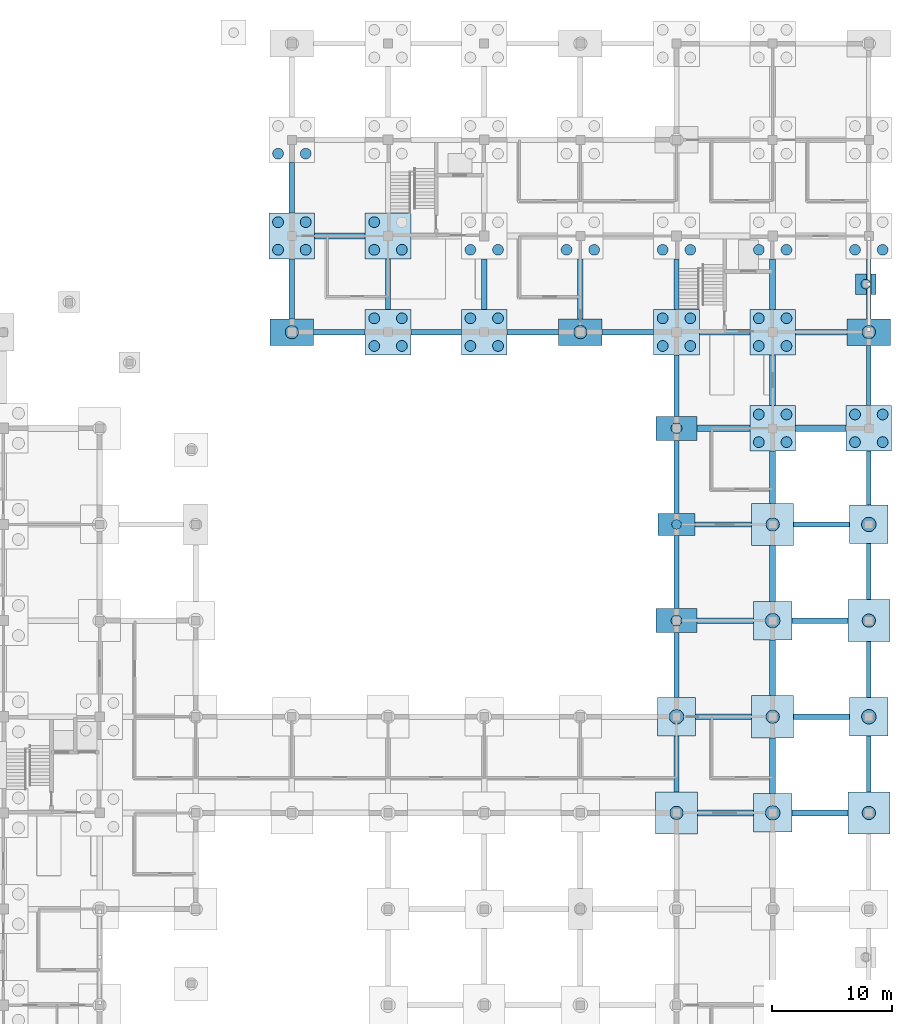
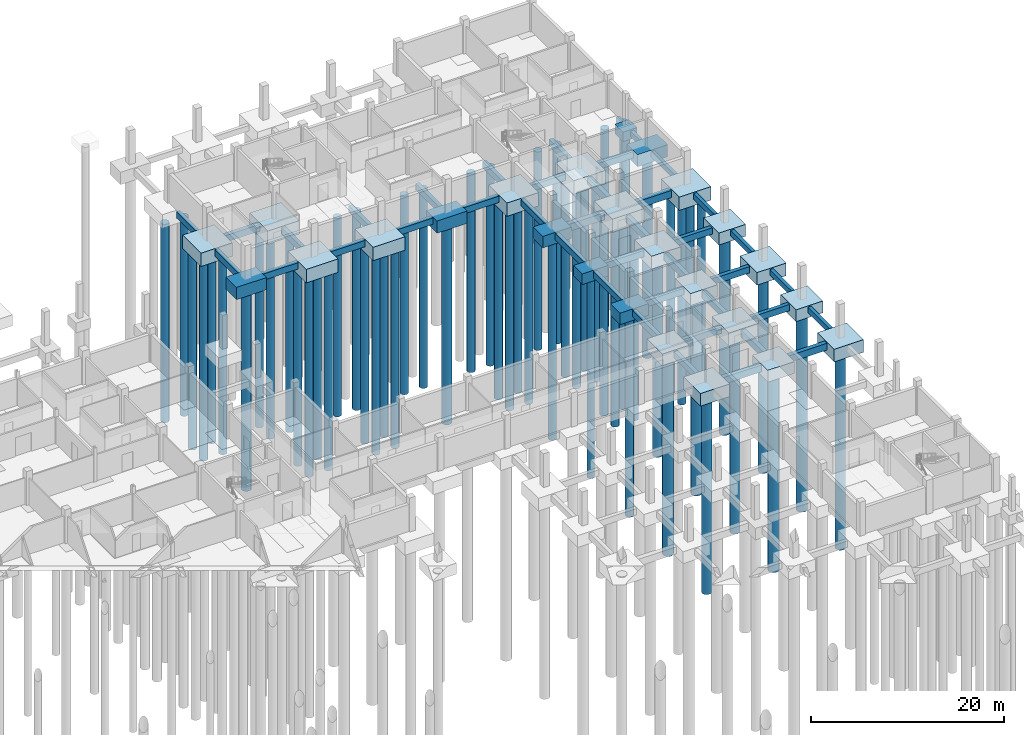
# One storey, part 10 of 48: 65 footings, 60 piles.
"""IFC4 building model written with IfcOpenShell, lengths in metres."""

import ifcopenshell
import ifcopenshell.guid

model = None  # the IFC model being written
_history = None  # IfcOwnerHistory: only IFC2X3 demands one
_inside = {}  # id of a spatial element -> (the spatial element, [elements in it])
_under = {}  # id of a project, library or spatial element -> (it, [spatial elements below it])
_declared = {}  # id of a project -> (the project, [libraries it declares])
_typed = {}  # id of a type object -> (the type object, [elements of that type])
_made_of = {}  # id of a material, layer set ... -> (it, [elements and type objects made of it])


def new_model(schema):
    """Start an empty IFC model of exactly this schema.

    Asked for "IFC4X3", IfcOpenShell would pick the latest addendum, in which some entities
    have other attributes; the version numbers below select the first issue.
    IFC2X3 requires an IfcOwnerHistory on every rooted entity: one is made here for all.
    """
    global model, _history
    if schema == "IFC4X3":
        model = ifcopenshell.file(schema_version=(4, 3, 0, 0))
    else:
        model = ifcopenshell.file(schema=schema)
    _inside.clear()
    _under.clear()
    _declared.clear()
    _typed.clear()
    _made_of.clear()
    _history = None
    if model.schema == "IFC2X3":
        org = make("IfcOrganization", Name="unknown")
        user = make(
            "IfcPersonAndOrganization",
            ThePerson=make("IfcPerson", FamilyName="unknown"),
            TheOrganization=org,
        )
        app = make(
            "IfcApplication",
            ApplicationDeveloper=org,
            Version="unknown",
            ApplicationFullName="unknown",
            ApplicationIdentifier="unknown",
        )
        _history = make(
            "IfcOwnerHistory",
            OwningUser=user,
            OwningApplication=app,
            ChangeAction="ADDED",
            CreationDate=0,
        )
    return model


def make(cls, **values):
    """One entity of the class cls with the attributes given. An attribute that is None is left unset."""
    return model.create_entity(
        cls, **{name: value for name, value in values.items() if value is not None}
    )


def rooted(cls, **values):
    """An entity with a GlobalId (a new one), such as an element, a storey or a relation."""
    return make(cls, GlobalId=ifcopenshell.guid.new(), OwnerHistory=_history, **values)


def si_unit(unit_type, name, prefix=None):
    """IfcSIUnit, for example si_unit("LENGTHUNIT", "METRE", prefix="MILLI")."""
    return make("IfcSIUnit", UnitType=unit_type, Prefix=prefix, Name=name)


def derived_unit(unit_type, elements):
    """IfcDerivedUnit: a product of units, each with its exponent."""
    return make(
        "IfcDerivedUnit",
        Elements=[
            make("IfcDerivedUnitElement", Unit=unit, Exponent=power)
            for unit, power in elements
        ],
        UnitType=unit_type,
    )


def assignment(units):
    """IfcUnitAssignment: the units of a project."""
    return None if units is None else make("IfcUnitAssignment", Units=units)


def point(xyz):
    """IfcCartesianPoint."""
    return None if xyz is None else make("IfcCartesianPoint", Coordinates=xyz)


def direction(xyz):
    """IfcDirection."""
    return None if xyz is None else make("IfcDirection", DirectionRatios=xyz)


def frame(location, z_axis=None, x_axis=None):
    """IfcAxis2Placement3D, a coordinate frame: its origin and axes. An axis left out is left unset."""
    return make(
        "IfcAxis2Placement3D",
        Location=point(location),
        Axis=direction(z_axis),
        RefDirection=direction(x_axis),
    )


def frame_2d(location, x_axis=None):
    """IfcAxis2Placement2D, a coordinate frame in the plane: its origin and x axis."""
    return make(
        "IfcAxis2Placement2D", Location=point(location), RefDirection=direction(x_axis)
    )


def origin():
    """The frame at (0, 0, 0) with its axes left unset."""
    return frame((0.0, 0.0, 0.0))


def origin_2d():
    """The frame at (0, 0) in the plane with its x axis left unset."""
    return frame_2d((0.0, 0.0))


def place(relative_to, where):
    """IfcLocalPlacement: puts the frame where relative to a parent placement (None: the world)."""
    return make(
        "IfcLocalPlacement", PlacementRelTo=relative_to, RelativePlacement=where
    )


def context(
    kind, dimensions, precision=None, world=None, true_north=None, identifier=None
):
    """IfcGeometricRepresentationContext, for example the 3D "Model" context."""
    return make(
        "IfcGeometricRepresentationContext",
        ContextIdentifier=identifier,
        ContextType=kind,
        CoordinateSpaceDimension=dimensions,
        Precision=precision,
        WorldCoordinateSystem=world,
        TrueNorth=true_north,
    )


def subcontext(parent, identifier, kind, view, scale=None):
    """IfcGeometricRepresentationSubContext, for example "Body" below "Model"."""
    return make(
        "IfcGeometricRepresentationSubContext",
        ContextIdentifier=identifier,
        ContextType=kind,
        ParentContext=parent,
        TargetScale=scale,
        TargetView=view,
    )


def project(units=None, contexts=None):
    """IfcProject with its units and contexts."""
    return rooted(
        "IfcProject",
        Name="project",
        RepresentationContexts=contexts,
        UnitsInContext=assignment(units),
    )


def spatial(cls, under=None, at=None, **own):
    """A site, building, storey or space (cls), placed at a placement, below another one or the project."""
    s = rooted(cls, ObjectPlacement=at, **own)
    if under is not None:
        _under.setdefault(under.id(), (under, []))[1].append(s)
    return s


def profile(cls, at=None, kind="AREA", **sizes):
    """A parametric profile (cls). Its sizes go by their IFC names, for example OverallWidth=200.0."""
    return make(cls, ProfileType=kind, Position=at, **sizes)


def rectangle(**sizes):
    """IfcRectangleProfileDef."""
    return profile("IfcRectangleProfileDef", **sizes)


def circle(**sizes):
    """IfcCircleProfileDef."""
    return profile("IfcCircleProfileDef", **sizes)


def extrude(swept, where, along, depth):
    """IfcExtrudedAreaSolid: the profile swept, set in the frame where, extruded along a direction by depth."""
    return make(
        "IfcExtrudedAreaSolid",
        SweptArea=swept,
        Position=where,
        ExtrudedDirection=direction(along),
        Depth=depth,
    )


def shape(context_of_items, identifier, shape_type, items):
    """IfcShapeRepresentation: the items that make up one representation, for example the "Body"."""
    return make(
        "IfcShapeRepresentation",
        ContextOfItems=context_of_items,
        RepresentationIdentifier=identifier,
        RepresentationType=shape_type,
        Items=items,
    )


def material(Name=None, Category=None):
    """IfcMaterial."""
    return make("IfcMaterial", Name=Name, Category=Category)


def material_profile(
    of_material, cross_section, Name=None, Category=None, Priority=None
):
    """IfcMaterialProfile: a cross section and its material."""
    return make(
        "IfcMaterialProfile",
        Name=Name,
        Material=of_material,
        Profile=cross_section,
        Priority=Priority,
        Category=Category,
    )


def profile_set(profiles, Name=None, composite=None):
    """IfcMaterialProfileSet."""
    return make(
        "IfcMaterialProfileSet",
        Name=Name,
        MaterialProfiles=profiles,
        CompositeProfile=composite,
    )


def made_of(thing, what):
    """Note that an element or type object is made of a material, layer set ...; save() writes the relation."""
    if what is not None:
        _made_of.setdefault(what.id(), (what, []))[1].append(thing)
    return thing


def type_object(cls, material=None, **own):
    """A type object (cls), such as IfcWallType, which elements share."""
    return made_of(rooted(cls, **own), material)


def element(
    cls,
    number,
    at=None,
    inside=None,
    cuts=None,
    type_object=None,
    material=None,
    context=None,
    identifier="Body",
    shape_type=None,
    held_by="IfcProductDefinitionShape",
    body=None,
    shapes=None,
    **own,
):
    """One element of the class cls, such as IfcWall. Its Tag is "e" and its number.

    at: its placement. inside: the storey or other place that contains it. cuts: it is an
    opening in that element (IfcRelVoidsElement). A single representation is given by context,
    identifier, shape_type and body (its items); several are given by shapes. held_by: the class
    of the entity that holds the representations. save() writes the other relations.
    """
    e = rooted(cls, Tag="e%d" % number, ObjectPlacement=at, **own)
    if body is not None:
        shapes = [shape(context, identifier, shape_type, body)]
    if shapes is not None:
        e.Representation = make(held_by, Representations=shapes)
    if inside is not None:
        _inside.setdefault(inside.id(), (inside, []))[1].append(e)
    if cuts is not None:
        rooted(
            "IfcRelVoidsElement", RelatingBuildingElement=cuts, RelatedOpeningElement=e
        )
    if type_object is not None:
        _typed.setdefault(type_object.id(), (type_object, []))[1].append(e)
    return made_of(e, material)


def aggregate(whole, parts):
    """IfcRelAggregates: a whole, such as a stair, and the parts it consists of."""
    return rooted("IfcRelAggregates", RelatingObject=whole, RelatedObjects=parts)


def save(model, path):
    """Write the relations noted so far, then the file.

    IfcRelAggregates (storeys below a building ...), IfcRelContainedInSpatialStructure (elements
    in a storey), IfcRelDefinesByType, IfcRelAssociatesMaterial and IfcRelDeclares: one each for
    every whole, place, type object, material and project.
    """
    for whole, parts in _under.values():
        aggregate(whole, parts)
    for where, things in _inside.values():
        rooted(
            "IfcRelContainedInSpatialStructure",
            RelatedElements=things,
            RelatingStructure=where,
        )
    for kind, things in _typed.values():
        rooted("IfcRelDefinesByType", RelatedObjects=things, RelatingType=kind)
    for what, things in _made_of.values():
        rooted("IfcRelAssociatesMaterial", RelatedObjects=things, RelatingMaterial=what)
    for by, libraries in _declared.values():
        rooted("IfcRelDeclares", RelatingContext=by, RelatedDefinitions=libraries)
    model.write(path)


model = new_model("IFC4")

# Units and contexts
model_context = context("Model", 3, precision=1e-05, world=origin(), true_north=direction((0.0, 1.0)))
body_context = subcontext(model_context, "Body", "Model", "MODEL_VIEW")
ifc_project = project(units=[si_unit("LENGTHUNIT", "METRE"), si_unit("AREAUNIT", "SQUARE_METRE"), si_unit("VOLUMEUNIT", "CUBIC_METRE"), si_unit("PLANEANGLEUNIT", "RADIAN"), si_unit("MASSUNIT", "GRAM", prefix="KILO"), derived_unit("THERMALTRANSMITTANCEUNIT", [(si_unit("MASSUNIT", "GRAM", prefix="KILO"), 1), (si_unit("TIMEUNIT", "SECOND"), -3), (si_unit("THERMODYNAMICTEMPERATUREUNIT", "KELVIN"), -1)])], contexts=[model_context])

# Site, building, storey
site_placement = place(None, origin())
site = spatial("IfcSite", under=ifc_project, at=site_placement, CompositionType="ELEMENT")
building_placement = place(site_placement, origin())
building = spatial("IfcBuilding", under=site, at=building_placement, Name="Veyamyaing Civic Hall", CompositionType="ELEMENT")
storey_placement = place(building_placement, frame((0.0, 0.0, -4.2900390625)))
storey = spatial("IfcBuildingStorey", under=building, at=storey_placement, Name="B1", CompositionType="ELEMENT", Elevation=-4.2900390625)

# Footings
ifc_material_1 = material(Name="Concrete C40/50", Category="concrete")
ifc_material_profile_1 = material_profile(ifc_material_1, rectangle(XDim=0.5, YDim=0.85009765625, at=origin_2d()), Name="GB-500X850")
ifc_profile_set_1 = profile_set([ifc_material_profile_1], Name="Concrete C40/50")
footing_type_1 = type_object("IfcFootingType", Name="GB-01", PredefinedType="FOOTING_BEAM", material=ifc_profile_set_1)
footing_1_placement = place(storey_placement, frame((129.89990234375, 96.0, -0.574951171875), z_axis=(1.0, 0.0, 0.0), x_axis=(0.0, 1.0, 0.0)))
element("IfcFooting", 1, at=footing_1_placement, inside=storey, type_object=footing_type_1, Name="Footing tie beam GB-01 X 16-12", PredefinedType="FOOTING_BEAM", context=body_context, shape_type="SweptSolid", body=[
    extrude(rectangle(XDim=0.5, YDim=0.85009765625, at=origin_2d()), origin(), (0.0, 0.0, 1.0), 4.2001953125),
])
for number, where, z_axis, x_axis, name in (
    (2, (161.75, 48.0, -0.574951171875), (1.0, 0.0, 0.0), (0.0, 1.0, 0.0), "Footing tie beam GB-01 X 20-6"),
    (3, (169.60009765625, 48.0, -0.574951171875), (1.0, 0.0, 0.0), (0.0, 1.0, 0.0), "Footing tie beam GB-01 X 21-6"),
    (4, (168.0, 49.60009765625, -0.574951171875), (0.0, 1.0, 0.0), (-1.0, 0.0, 0.0), "Footing tie beam GB-01 Y 21-6"),
    (5, (168.0, 57.75, -0.574951171875), (0.0, 1.0, 0.0), (-1.0, 0.0, 0.0), "Footing tie beam GB-01 Y 21-7"),
    (6, (168.0, 65.60009765625, -0.574951171875), (0.0, 1.0, 0.0), (-1.0, 0.0, 0.0), "Footing tie beam GB-01 Y 21-8"),
):
    element("IfcFooting", number, at=place(storey_placement, frame(where, z_axis=z_axis, x_axis=x_axis)), inside=storey, type_object=footing_type_1, Name=name, PredefinedType="FOOTING_BEAM", context=body_context, shape_type="SweptSolid", body=[
        extrude(rectangle(XDim=0.5, YDim=0.85009765625, at=origin_2d()), origin(), (0.0, 0.0, 1.0), 4.64990234375),
    ])
footing_2_placement = place(storey_placement, frame((168.0, 73.75, -0.574951171875), z_axis=(0.0, 1.0, 0.0), x_axis=(-1.0, 0.0, 0.0)))
element("IfcFooting", 7, at=footing_2_placement, inside=storey, type_object=footing_type_1, Name="Footing tie beam GB-01 Y 21-9", PredefinedType="FOOTING_BEAM", context=body_context, shape_type="SweptSolid", body=[
    extrude(rectangle(XDim=0.5, YDim=0.85009765625, at=origin_2d()), origin(), (0.0, 0.0, 1.0), 4.35009765625),
])
for number, where, z_axis, x_axis, name in (
    (8, (168.0, 81.89990234375, -0.574951171875), (0.0, 1.0, 0.0), (-1.0, 0.0, 0.0), "Footing tie beam GB-01 Y 21-10"),
    (9, (168.0, 89.89990234375, -0.574951171875), (0.0, 1.0, 0.0), (-1.0, 0.0, 0.0), "Footing tie beam GB-01 Y 21-11"),
):
    element("IfcFooting", number, at=place(storey_placement, frame(where, z_axis=z_axis, x_axis=x_axis)), inside=storey, type_object=footing_type_1, Name=name, PredefinedType="FOOTING_BEAM", context=body_context, shape_type="SweptSolid", body=[
        extrude(rectangle(XDim=0.5, YDim=0.85009765625, at=origin_2d()), origin(), (0.0, 0.0, 1.0), 4.2001953125),
    ])
ifc_material_profile_2 = material_profile(ifc_material_1, rectangle(XDim=0.449951171875, YDim=0.800048828125, at=origin_2d()), Name="GB-450X800")
ifc_profile_set_2 = profile_set([ifc_material_profile_2], Name="Concrete C40/50")
footing_type_2 = type_object("IfcFootingType", Name="GB-02", PredefinedType="FOOTING_BEAM", material=ifc_profile_set_2)
footing_3_placement = place(storey_placement, frame((129.800048828125, 88.0, -0.550048828125), z_axis=(1.0, 0.0, 0.0), x_axis=(0.0, 1.0, 0.0)))
element("IfcFooting", 10, at=footing_3_placement, inside=storey, type_object=footing_type_2, Name="Footing tie beam GB-02 X 16-11", PredefinedType="FOOTING_BEAM", context=body_context, shape_type="SweptSolid", body=[
    extrude(rectangle(XDim=0.449951171875, YDim=0.800048828125, at=origin_2d()), origin(), (0.0, 0.0, 1.0), 4.300048828125),
])
footing_4_placement = place(storey_placement, frame((128.0, 89.10009765625, -0.550048828125), z_axis=(0.0, 1.0, 0.0), x_axis=(-1.0, 0.0, 0.0)))
element("IfcFooting", 11, at=footing_4_placement, inside=storey, type_object=footing_type_2, Name="Footing tie beam GB-02 Y 16-11", PredefinedType="FOOTING_BEAM", context=body_context, shape_type="SweptSolid", body=[
    extrude(rectangle(XDim=0.449951171875, YDim=0.800048828125, at=origin_2d()), origin(), (0.0, 0.0, 1.0), 5.0),
])
for number, where, z_axis, x_axis, name in (
    (12, (128.0, 97.89990234375, -0.550048828125), (0.0, 1.0, 0.0), (-1.0, 0.0, 0.0), "Footing tie beam GB-02 Y 16-12"),
    (13, (137.89990234375, 88.0, -0.550048828125), (1.0, 0.0, 0.0), (0.0, 1.0, 0.0), "Footing tie beam GB-02 X 17-11"),
    (14, (136.0, 89.89990234375, -0.550048828125), (0.0, 1.0, 0.0), (-1.0, 0.0, 0.0), "Footing tie beam GB-02 Y 17-11"),
):
    element("IfcFooting", number, at=place(storey_placement, frame(where, z_axis=z_axis, x_axis=x_axis)), inside=storey, type_object=footing_type_2, Name=name, PredefinedType="FOOTING_BEAM", context=body_context, shape_type="SweptSolid", body=[
        extrude(rectangle(XDim=0.449951171875, YDim=0.800048828125, at=origin_2d()), origin(), (0.0, 0.0, 1.0), 4.2001953125),
    ])
footing_5_placement = place(storey_placement, frame((145.89990234375, 88.0, -0.550048828125), z_axis=(1.0, 0.0, 0.0), x_axis=(0.0, 1.0, 0.0)))
element("IfcFooting", 15, at=footing_5_placement, inside=storey, type_object=footing_type_2, Name="Footing tie beam GB-02 X 18-11", PredefinedType="FOOTING_BEAM", context=body_context, shape_type="SweptSolid", body=[
    extrude(rectangle(XDim=0.449951171875, YDim=0.800048828125, at=origin_2d()), origin(), (0.0, 0.0, 1.0), 4.300048828125),
])
footing_6_placement = place(storey_placement, frame((144.0, 89.89990234375, -0.550048828125), z_axis=(0.0, 1.0, 0.0), x_axis=(-1.0, 0.0, 0.0)))
element("IfcFooting", 16, at=footing_6_placement, inside=storey, type_object=footing_type_2, Name="Footing tie beam GB-02 Y 18-11", PredefinedType="FOOTING_BEAM", context=body_context, shape_type="SweptSolid", body=[
    extrude(rectangle(XDim=0.449951171875, YDim=0.800048828125, at=origin_2d()), origin(), (0.0, 0.0, 1.0), 4.2001953125),
])
footing_7_placement = place(storey_placement, frame((153.800048828125, 88.0, -0.550048828125), z_axis=(1.0, 0.0, 0.0), x_axis=(0.0, 1.0, 0.0)))
element("IfcFooting", 17, at=footing_7_placement, inside=storey, type_object=footing_type_2, Name="Footing tie beam GB-02 X 19-11", PredefinedType="FOOTING_BEAM", context=body_context, shape_type="SweptSolid", body=[
    extrude(rectangle(XDim=0.449951171875, YDim=0.800048828125, at=origin_2d()), origin(), (0.0, 0.0, 1.0), 4.300048828125),
])
footing_8_placement = place(storey_placement, frame((152.0, 89.10009765625, -0.550048828125), z_axis=(0.0, 1.0, 0.0), x_axis=(-1.0, 0.0, 0.0)))
element("IfcFooting", 18, at=footing_8_placement, inside=storey, type_object=footing_type_2, Name="Footing tie beam GB-02 Y 19-11", PredefinedType="FOOTING_BEAM", context=body_context, shape_type="SweptSolid", body=[
    extrude(rectangle(XDim=0.449951171875, YDim=0.800048828125, at=origin_2d()), origin(), (0.0, 0.0, 1.0), 5.0),
])
for number, where, z_axis, x_axis, name in (
    (19, (160.0, 49.75, -0.550048828125), (0.0, 1.0, 0.0), (-1.0, 0.0, 0.0), "Footing tie beam GB-02 Y 20-6"),
    (20, (161.60009765625, 56.0, -0.550048828125), (1.0, 0.0, 0.0), (0.0, 1.0, 0.0), "Footing tie beam GB-02 X 20-7"),
):
    element("IfcFooting", number, at=place(storey_placement, frame(where, z_axis=z_axis, x_axis=x_axis)), inside=storey, type_object=footing_type_2, Name=name, PredefinedType="FOOTING_BEAM", context=body_context, shape_type="SweptSolid", body=[
        extrude(rectangle(XDim=0.449951171875, YDim=0.800048828125, at=origin_2d()), origin(), (0.0, 0.0, 1.0), 4.64990234375),
    ])
footing_9_placement = place(storey_placement, frame((160.0, 57.60009765625, -0.550048828125), z_axis=(0.0, 1.0, 0.0), x_axis=(-1.0, 0.0, 0.0)))
element("IfcFooting", 21, at=footing_9_placement, inside=storey, type_object=footing_type_2, Name="Footing tie beam GB-02 Y 20-7", PredefinedType="FOOTING_BEAM", context=body_context, shape_type="SweptSolid", body=[
    extrude(rectangle(XDim=0.449951171875, YDim=0.800048828125, at=origin_2d()), origin(), (0.0, 0.0, 1.0), 5.39990234375),
])
footing_10_placement = place(storey_placement, frame((161.699951171875, 64.0, -0.550048828125), z_axis=(1.0, 0.0, 0.0), x_axis=(0.0, 1.0, 0.0)))
element("IfcFooting", 22, at=footing_10_placement, inside=storey, type_object=footing_type_2, Name="Footing tie beam GB-02 X 20-8", PredefinedType="FOOTING_BEAM", context=body_context, shape_type="SweptSolid", body=[
    extrude(rectangle(XDim=0.449951171875, YDim=0.800048828125, at=origin_2d()), origin(), (0.0, 0.0, 1.0), 4.699951171875),
])
footing_11_placement = place(storey_placement, frame((160.0, 65.0, -0.550048828125), z_axis=(0.0, 1.0, 0.0), x_axis=(-1.0, 0.0, 0.0)))
element("IfcFooting", 23, at=footing_11_placement, inside=storey, type_object=footing_type_2, Name="Footing tie beam GB-02 Y 20-8", PredefinedType="FOOTING_BEAM", context=body_context, shape_type="SweptSolid", body=[
    extrude(rectangle(XDim=0.449951171875, YDim=0.800048828125, at=origin_2d()), origin(), (0.0, 0.0, 1.0), 6.10009765625),
])
footing_12_placement = place(storey_placement, frame((161.550048828125, 72.0, -0.550048828125), z_axis=(1.0, 0.0, 0.0), x_axis=(0.0, 1.0, 0.0)))
element("IfcFooting", 24, at=footing_12_placement, inside=storey, type_object=footing_type_2, Name="Footing tie beam GB-02 X 20-9", PredefinedType="FOOTING_BEAM", context=body_context, shape_type="SweptSolid", body=[
    extrude(rectangle(XDim=0.449951171875, YDim=0.800048828125, at=origin_2d()), origin(), (0.0, 0.0, 1.0), 4.699951171875),
])
footing_13_placement = place(storey_placement, frame((160.0, 72.89990234375, -0.550048828125), z_axis=(0.0, 1.0, 0.0), x_axis=(-1.0, 0.0, 0.0)))
element("IfcFooting", 25, at=footing_13_placement, inside=storey, type_object=footing_type_2, Name="Footing tie beam GB-02 Y 20-9", PredefinedType="FOOTING_BEAM", context=body_context, shape_type="SweptSolid", body=[
    extrude(rectangle(XDim=0.449951171875, YDim=0.800048828125, at=origin_2d()), origin(), (0.0, 0.0, 1.0), 6.10009765625),
])
footing_14_placement = place(storey_placement, frame((160.0, 81.0, -0.550048828125), z_axis=(0.0, 1.0, 0.0), x_axis=(-1.0, 0.0, 0.0)))
element("IfcFooting", 26, at=footing_14_placement, inside=storey, type_object=footing_type_2, Name="Footing tie beam GB-02 Y 20-10", PredefinedType="FOOTING_BEAM", context=body_context, shape_type="SweptSolid", body=[
    extrude(rectangle(XDim=0.449951171875, YDim=0.800048828125, at=origin_2d()), origin(), (0.0, 0.0, 1.0), 5.10009765625),
])
for number, where, z_axis, x_axis, name in (
    (27, (161.89990234375, 88.0, -0.550048828125), (1.0, 0.0, 0.0), (0.0, 1.0, 0.0), "Footing tie beam GB-02 X 20-11"),
    (28, (160.0, 89.89990234375, -0.550048828125), (0.0, 1.0, 0.0), (-1.0, 0.0, 0.0), "Footing tie beam GB-02 Y 20-11"),
):
    element("IfcFooting", number, at=place(storey_placement, frame(where, z_axis=z_axis, x_axis=x_axis)), inside=storey, type_object=footing_type_2, Name=name, PredefinedType="FOOTING_BEAM", context=body_context, shape_type="SweptSolid", body=[
        extrude(rectangle(XDim=0.449951171875, YDim=0.800048828125, at=origin_2d()), origin(), (0.0, 0.0, 1.0), 4.2001953125),
    ])
for number, where, z_axis, x_axis, name in (
    (29, (169.75, 56.0, -0.550048828125), (1.0, 0.0, 0.0), (0.0, 1.0, 0.0), "Footing tie beam GB-02 X 21-7"),
    (30, (169.60009765625, 64.0, -0.550048828125), (1.0, 0.0, 0.0), (0.0, 1.0, 0.0), "Footing tie beam GB-02 X 21-8"),
    (31, (169.75, 72.0, -0.550048828125), (1.0, 0.0, 0.0), (0.0, 1.0, 0.0), "Footing tie beam GB-02 X 21-9"),
):
    element("IfcFooting", number, at=place(storey_placement, frame(where, z_axis=z_axis, x_axis=x_axis)), inside=storey, type_object=footing_type_2, Name=name, PredefinedType="FOOTING_BEAM", context=body_context, shape_type="SweptSolid", body=[
        extrude(rectangle(XDim=0.449951171875, YDim=0.800048828125, at=origin_2d()), origin(), (0.0, 0.0, 1.0), 4.64990234375),
    ])
footing_15_placement = place(storey_placement, frame((169.89990234375, 88.0, -0.550048828125), z_axis=(1.0, 0.0, 0.0), x_axis=(0.0, 1.0, 0.0)))
element("IfcFooting", 32, at=footing_15_placement, inside=storey, type_object=footing_type_2, Name="Footing tie beam GB-02 X 21-11", PredefinedType="FOOTING_BEAM", context=body_context, shape_type="SweptSolid", body=[
    extrude(rectangle(XDim=0.449951171875, YDim=0.800048828125, at=origin_2d()), origin(), (0.0, 0.0, 1.0), 4.300048828125),
])
ifc_material_profile_3 = material_profile(ifc_material_1, rectangle(XDim=0.39990234375, YDim=0.699951171875, at=origin_2d()), Name="GB-400X700")
ifc_profile_set_3 = profile_set([ifc_material_profile_3], Name="Concrete C40/50")
footing_type_3 = type_object("IfcFootingType", Name="GB-03", PredefinedType="FOOTING_BEAM", material=ifc_profile_set_3)
for number, where, z_axis, x_axis, name in (
    (33, (176.0, 49.75, -0.5), (0.0, 1.0, 0.0), (-1.0, 0.0, 0.0), "Footing tie beam GB-03 Y 22-6"),
    (34, (176.0, 57.60009765625, -0.5), (0.0, 1.0, 0.0), (-1.0, 0.0, 0.0), "Footing tie beam GB-03 Y 22-7"),
    (35, (176.0, 65.75, -0.5), (0.0, 1.0, 0.0), (-1.0, 0.0, 0.0), "Footing tie beam GB-03 Y 22-8"),
):
    element("IfcFooting", number, at=place(storey_placement, frame(where, z_axis=z_axis, x_axis=x_axis)), inside=storey, type_object=footing_type_3, Name=name, PredefinedType="FOOTING_BEAM", context=body_context, shape_type="SweptSolid", body=[
        extrude(rectangle(XDim=0.39990234375, YDim=0.699951171875, at=origin_2d()), origin(), (0.0, 0.0, 1.0), 4.64990234375),
    ])
footing_16_placement = place(storey_placement, frame((176.0, 73.60009765625, -0.5), z_axis=(0.0, 1.0, 0.0), x_axis=(-1.0, 0.0, 0.0)))
element("IfcFooting", 36, at=footing_16_placement, inside=storey, type_object=footing_type_3, Name="Footing tie beam GB-03 Y 22-9", PredefinedType="FOOTING_BEAM", context=body_context, shape_type="SweptSolid", body=[
    extrude(rectangle(XDim=0.39990234375, YDim=0.699951171875, at=origin_2d()), origin(), (0.0, 0.0, 1.0), 4.5),
])
for number, where, z_axis, x_axis, name in (
    (37, (176.0, 81.89990234375, -0.5), (0.0, 1.0, 0.0), (-1.0, 0.0, 0.0), "Footing tie beam GB-03 Y 22-10"),
    (38, (176.0, 89.10009765625, -0.5), (0.0, 1.0, 0.0), (-1.0, 0.0, 0.0), "Footing tie beam GB-03 Y 22-11"),
):
    element("IfcFooting", number, at=place(storey_placement, frame(where, z_axis=z_axis, x_axis=x_axis)), inside=storey, type_object=footing_type_3, Name=name, PredefinedType="FOOTING_BEAM", context=body_context, shape_type="SweptSolid", body=[
        extrude(rectangle(XDim=0.39990234375, YDim=0.699951171875, at=origin_2d()), origin(), (0.0, 0.0, 1.0), 5.0),
    ])
ifc_material_profile_4 = material_profile(ifc_material_1, rectangle(XDim=0.550048828125, YDim=0.89990234375, at=origin_2d()), Name="GB-550X900")
ifc_profile_set_4 = profile_set([ifc_material_profile_4], Name="Concrete C40/50")
footing_type_4 = type_object("IfcFootingType", Name="GB-04", PredefinedType="FOOTING_BEAM", material=ifc_profile_set_4)
footing_17_placement = place(storey_placement, frame((161.699951171875, 80.0, -0.599853515625), z_axis=(1.0, 0.0, 0.0), x_axis=(0.0, 1.0, 0.0)))
element("IfcFooting", 39, at=footing_17_placement, inside=storey, type_object=footing_type_4, Name="Footing tie beam GB-04 X 20-10", PredefinedType="FOOTING_BEAM", context=body_context, shape_type="SweptSolid", body=[
    extrude(rectangle(XDim=0.550048828125, YDim=0.89990234375, at=origin_2d()), origin(), (0.0, 0.0, 1.0), 4.400146484375),
])
footing_18_placement = place(storey_placement, frame((169.89990234375, 80.0, -0.599853515625), z_axis=(1.0, 0.0, 0.0), x_axis=(0.0, 1.0, 0.0)))
element("IfcFooting", 40, at=footing_18_placement, inside=storey, type_object=footing_type_4, Name="Footing tie beam GB-04 X 21-10", PredefinedType="FOOTING_BEAM", context=body_context, shape_type="SweptSolid", body=[
    extrude(rectangle(XDim=0.550048828125, YDim=0.89990234375, at=origin_2d()), origin(), (0.0, 0.0, 1.0), 4.2001953125),
])

# Piles
ifc_material_2 = material(Name="Concrete C35/45", Category="concrete")
ifc_material_profile_5 = material_profile(ifc_material_2, circle(Radius=0.60009765625, at=origin_2d()), Name="PILE-D1200")
ifc_profile_set_5 = profile_set([ifc_material_profile_5], Name="Concrete C35/45")
pile_type_1 = type_object("IfcPileType", Name="P-01", PredefinedType="BORED", material=ifc_profile_set_5)
for number, where, z_axis, x_axis, name in (
    (41, (160.0, 56.0, -1.39990234375), (0.0, 0.0, -1.0), (1.0, 0.0, 0.0), "Bored pile P-01 G20-07.1"),
    (42, (168.0, 48.0, -1.39990234375), (0.0, 0.0, -1.0), (1.0, 0.0, 0.0), "Bored pile P-01 G21-06.1"),
    (43, (168.0, 64.0, -1.39990234375), (0.0, 0.0, -1.0), (1.0, 0.0, 0.0), "Bored pile P-01 G21-08.1"),
    (44, (176.0, 56.0, -1.39990234375), (0.0, 0.0, -1.0), (1.0, 0.0, 0.0), "Bored pile P-01 G22-07.1"),
    (45, (176.0, 72.0, -1.39990234375), (0.0, 0.0, -1.0), (1.0, 0.0, 0.0), "Bored pile P-01 G22-09.1"),
):
    element("IfcPile", number, at=place(storey_placement, frame(where, z_axis=z_axis, x_axis=x_axis)), inside=storey, type_object=pile_type_1, Name=name, PredefinedType="BORED", context=body_context, shape_type="SweptSolid", body=[
        extrude(circle(Radius=0.60009765625, at=origin_2d()), origin(), (0.0, 0.0, 1.0), 25.31005859375),
    ])
ifc_material_profile_6 = material_profile(ifc_material_2, circle(Radius=0.550048828125, at=origin_2d()), Name="PILE-D1100")
ifc_profile_set_6 = profile_set([ifc_material_profile_6], Name="Concrete C35/45")
pile_type_2 = type_object("IfcPileType", Name="P-02", PredefinedType="BORED", material=ifc_profile_set_6)
for number, where, z_axis, x_axis, name in (
    (46, (128.0, 88.0, -1.449951171875), (0.0, 0.0, -1.0), (1.0, 0.0, 0.0), "Bored pile P-02 G16-11.1"),
    (47, (152.0, 88.0, -1.449951171875), (0.0, 0.0, -1.0), (1.0, 0.0, 0.0), "Bored pile P-02 G19-11.1"),
):
    element("IfcPile", number, at=place(storey_placement, frame(where, z_axis=z_axis, x_axis=x_axis)), inside=storey, type_object=pile_type_2, Name=name, PredefinedType="BORED", context=body_context, shape_type="SweptSolid", body=[
        extrude(circle(Radius=0.550048828125, at=origin_2d()), origin(), (0.0, 0.0, 1.0), 25.260009765625),
    ])
for number, where, z_axis, x_axis, name in (
    (48, (160.0, 48.0, -1.5), (0.0, 0.0, -1.0), (1.0, 0.0, 0.0), "Bored pile P-02 G20-06.1"),
    (49, (168.0, 56.0, -1.5), (0.0, 0.0, -1.0), (1.0, 0.0, 0.0), "Bored pile P-02 G21-07.1"),
    (50, (168.0, 72.0, -1.5), (0.0, 0.0, -1.0), (1.0, 0.0, 0.0), "Bored pile P-02 G21-09.1"),
    (51, (176.0, 48.0, -1.5), (0.0, 0.0, -1.0), (1.0, 0.0, 0.0), "Bored pile P-02 G22-06.1"),
    (52, (176.0, 64.0, -1.5), (0.0, 0.0, -1.0), (1.0, 0.0, 0.0), "Bored pile P-02 G22-08.1"),
):
    element("IfcPile", number, at=place(storey_placement, frame(where, z_axis=z_axis, x_axis=x_axis)), inside=storey, type_object=pile_type_2, Name=name, PredefinedType="BORED", context=body_context, shape_type="SweptSolid", body=[
        extrude(circle(Radius=0.550048828125, at=origin_2d()), origin(), (0.0, 0.0, 1.0), 25.2099609375),
    ])
pile_1_placement = place(storey_placement, frame((176.0, 88.0, -1.449951171875), z_axis=(0.0, 0.0, -1.0), x_axis=(1.0, 0.0, 0.0)))
element("IfcPile", 53, at=pile_1_placement, inside=storey, type_object=pile_type_2, Name="Bored pile P-02 G22-11.1", PredefinedType="BORED", context=body_context, shape_type="SweptSolid", body=[
    extrude(circle(Radius=0.550048828125, at=origin_2d()), origin(), (0.0, 0.0, 1.0), 25.260009765625),
])
ifc_material_profile_7 = material_profile(ifc_material_2, circle(Radius=0.449951171875, at=origin_2d()), Name="PILE-D900")
ifc_profile_set_7 = profile_set([ifc_material_profile_7], Name="Concrete C35/45")
pile_type_3 = type_object("IfcPileType", Name="P-04", PredefinedType="BORED", material=ifc_profile_set_7)
for number, where, z_axis, x_axis, name in (
    (54, (126.85009765625, 94.85009765625, -1.599853515625), (0.0, 0.0, -1.0), (1.0, 0.0, 0.0), "Bored pile P-04 G16-12.1"),
    (55, (126.85009765625, 97.14990234375, -1.599853515625), (0.0, 0.0, -1.0), (1.0, 0.0, 0.0), "Bored pile P-04 G16-12.2"),
    (56, (129.14990234375, 94.85009765625, -1.599853515625), (0.0, 0.0, -1.0), (1.0, 0.0, 0.0), "Bored pile P-04 G16-12.3"),
    (57, (129.14990234375, 97.14990234375, -1.599853515625), (0.0, 0.0, -1.0), (1.0, 0.0, 0.0), "Bored pile P-04 G16-12.4"),
    (58, (126.85009765625, 102.85009765625, -1.599853515625), (0.0, 0.0, -1.0), (1.0, 0.0, 0.0), "Bored pile P-04 G16-13.1"),
    (59, (129.14990234375, 102.85009765625, -1.599853515625), (0.0, 0.0, -1.0), (1.0, 0.0, 0.0), "Bored pile P-04 G16-13.3"),
    (60, (134.85009765625, 86.85009765625, -1.599853515625), (0.0, 0.0, -1.0), (1.0, 0.0, 0.0), "Bored pile P-04 G17-11.1"),
    (61, (134.85009765625, 89.14990234375, -1.599853515625), (0.0, 0.0, -1.0), (1.0, 0.0, 0.0), "Bored pile P-04 G17-11.2"),
    (62, (137.14990234375, 86.85009765625, -1.599853515625), (0.0, 0.0, -1.0), (1.0, 0.0, 0.0), "Bored pile P-04 G17-11.3"),
    (63, (137.14990234375, 89.14990234375, -1.599853515625), (0.0, 0.0, -1.0), (1.0, 0.0, 0.0), "Bored pile P-04 G17-11.4"),
    (64, (134.85009765625, 94.85009765625, -1.599853515625), (0.0, 0.0, -1.0), (1.0, 0.0, 0.0), "Bored pile P-04 G17-12.1"),
    (65, (134.85009765625, 97.14990234375, -1.599853515625), (0.0, 0.0, -1.0), (1.0, 0.0, 0.0), "Bored pile P-04 G17-12.2"),
    (66, (137.14990234375, 94.85009765625, -1.599853515625), (0.0, 0.0, -1.0), (1.0, 0.0, 0.0), "Bored pile P-04 G17-12.3"),
    (67, (142.85009765625, 86.85009765625, -1.599853515625), (0.0, 0.0, -1.0), (1.0, 0.0, 0.0), "Bored pile P-04 G18-11.1"),
    (68, (142.85009765625, 89.14990234375, -1.599853515625), (0.0, 0.0, -1.0), (1.0, 0.0, 0.0), "Bored pile P-04 G18-11.2"),
    (69, (145.14990234375, 86.85009765625, -1.599853515625), (0.0, 0.0, -1.0), (1.0, 0.0, 0.0), "Bored pile P-04 G18-11.3"),
    (70, (145.14990234375, 89.14990234375, -1.599853515625), (0.0, 0.0, -1.0), (1.0, 0.0, 0.0), "Bored pile P-04 G18-11.4"),
    (71, (142.85009765625, 94.85009765625, -1.599853515625), (0.0, 0.0, -1.0), (1.0, 0.0, 0.0), "Bored pile P-04 G18-12.1"),
    (72, (145.14990234375, 94.85009765625, -1.599853515625), (0.0, 0.0, -1.0), (1.0, 0.0, 0.0), "Bored pile P-04 G18-12.3"),
    (73, (150.85009765625, 94.85009765625, -1.599853515625), (0.0, 0.0, -1.0), (1.0, 0.0, 0.0), "Bored pile P-04 G19-12.1"),
    (74, (153.14990234375, 94.85009765625, -1.599853515625), (0.0, 0.0, -1.0), (1.0, 0.0, 0.0), "Bored pile P-04 G19-12.3"),
):
    element("IfcPile", number, at=place(storey_placement, frame(where, z_axis=z_axis, x_axis=x_axis)), inside=storey, type_object=pile_type_3, Name=name, PredefinedType="BORED", context=body_context, shape_type="SweptSolid", body=[
        extrude(circle(Radius=0.449951171875, at=origin_2d()), origin(), (0.0, 0.0, 1.0), 25.110107421875),
    ])
for number, where, z_axis, x_axis, name in (
    (75, (160.0, 64.0, -1.349853515625), (0.0, 0.0, -1.0), (1.0, 0.0, 0.0), "Bored pile P-04 G20-08.1"),
    (76, (160.0, 80.0, -1.349853515625), (0.0, 0.0, -1.0), (1.0, 0.0, 0.0), "Bored pile P-04 G20-10.1"),
):
    element("IfcPile", number, at=place(storey_placement, frame(where, z_axis=z_axis, x_axis=x_axis)), inside=storey, type_object=pile_type_3, Name=name, PredefinedType="BORED", context=body_context, shape_type="SweptSolid", body=[
        extrude(circle(Radius=0.449951171875, at=origin_2d()), origin(), (0.0, 0.0, 1.0), 25.360107421875),
    ])
for number, where, z_axis, x_axis, name in (
    (77, (158.85009765625, 86.85009765625, -1.599853515625), (0.0, 0.0, -1.0), (1.0, 0.0, 0.0), "Bored pile P-04 G20-11.1"),
    (78, (158.85009765625, 89.14990234375, -1.599853515625), (0.0, 0.0, -1.0), (1.0, 0.0, 0.0), "Bored pile P-04 G20-11.2"),
    (79, (161.14990234375, 86.85009765625, -1.599853515625), (0.0, 0.0, -1.0), (1.0, 0.0, 0.0), "Bored pile P-04 G20-11.3"),
    (80, (161.14990234375, 89.14990234375, -1.599853515625), (0.0, 0.0, -1.0), (1.0, 0.0, 0.0), "Bored pile P-04 G20-11.4"),
    (81, (158.85009765625, 94.85009765625, -1.599853515625), (0.0, 0.0, -1.0), (1.0, 0.0, 0.0), "Bored pile P-04 G20-12.1"),
    (82, (161.14990234375, 94.85009765625, -1.599853515625), (0.0, 0.0, -1.0), (1.0, 0.0, 0.0), "Bored pile P-04 G20-12.3"),
    (83, (166.85009765625, 78.85009765625, -1.599853515625), (0.0, 0.0, -1.0), (1.0, 0.0, 0.0), "Bored pile P-04 G21-10.1"),
    (84, (166.85009765625, 81.14990234375, -1.599853515625), (0.0, 0.0, -1.0), (1.0, 0.0, 0.0), "Bored pile P-04 G21-10.2"),
    (85, (169.14990234375, 78.85009765625, -1.599853515625), (0.0, 0.0, -1.0), (1.0, 0.0, 0.0), "Bored pile P-04 G21-10.3"),
    (86, (169.14990234375, 81.14990234375, -1.599853515625), (0.0, 0.0, -1.0), (1.0, 0.0, 0.0), "Bored pile P-04 G21-10.4"),
    (87, (166.85009765625, 86.85009765625, -1.599853515625), (0.0, 0.0, -1.0), (1.0, 0.0, 0.0), "Bored pile P-04 G21-11.1"),
    (88, (166.85009765625, 89.14990234375, -1.599853515625), (0.0, 0.0, -1.0), (1.0, 0.0, 0.0), "Bored pile P-04 G21-11.2"),
    (89, (169.14990234375, 86.85009765625, -1.599853515625), (0.0, 0.0, -1.0), (1.0, 0.0, 0.0), "Bored pile P-04 G21-11.3"),
    (90, (169.14990234375, 89.14990234375, -1.599853515625), (0.0, 0.0, -1.0), (1.0, 0.0, 0.0), "Bored pile P-04 G21-11.4"),
    (91, (166.85009765625, 94.85009765625, -1.599853515625), (0.0, 0.0, -1.0), (1.0, 0.0, 0.0), "Bored pile P-04 G21-12.1"),
    (92, (169.14990234375, 94.85009765625, -1.599853515625), (0.0, 0.0, -1.0), (1.0, 0.0, 0.0), "Bored pile P-04 G21-12.3"),
    (93, (174.85009765625, 78.85009765625, -1.599853515625), (0.0, 0.0, -1.0), (1.0, 0.0, 0.0), "Bored pile P-04 G22-10.1"),
    (94, (174.85009765625, 81.14990234375, -1.599853515625), (0.0, 0.0, -1.0), (1.0, 0.0, 0.0), "Bored pile P-04 G22-10.2"),
    (95, (177.14990234375, 78.85009765625, -1.599853515625), (0.0, 0.0, -1.0), (1.0, 0.0, 0.0), "Bored pile P-04 G22-10.3"),
    (96, (177.14990234375, 81.14990234375, -1.599853515625), (0.0, 0.0, -1.0), (1.0, 0.0, 0.0), "Bored pile P-04 G22-10.4"),
    (97, (174.85009765625, 94.85009765625, -1.599853515625), (0.0, 0.0, -1.0), (1.0, 0.0, 0.0), "Bored pile P-04 G22-12.1"),
    (98, (177.14990234375, 94.85009765625, -1.599853515625), (0.0, 0.0, -1.0), (1.0, 0.0, 0.0), "Bored pile P-04 G22-12.3"),
):
    element("IfcPile", number, at=place(storey_placement, frame(where, z_axis=z_axis, x_axis=x_axis)), inside=storey, type_object=pile_type_3, Name=name, PredefinedType="BORED", context=body_context, shape_type="SweptSolid", body=[
        extrude(circle(Radius=0.449951171875, at=origin_2d()), origin(), (0.0, 0.0, 1.0), 25.110107421875),
    ])
ifc_material_profile_8 = material_profile(ifc_material_2, circle(Radius=0.39990234375, at=origin_2d()), Name="PILE-D800")
ifc_profile_set_8 = profile_set([ifc_material_profile_8], Name="Concrete C35/45")
pile_type_4 = type_object("IfcPileType", Name="P-05", PredefinedType="BORED", material=ifc_profile_set_8)
pile_2_placement = place(storey_placement, frame((160.0, 72.0, -1.25), z_axis=(0.0, 0.0, -1.0), x_axis=(1.0, 0.0, 0.0)))
element("IfcPile", 99, at=pile_2_placement, inside=storey, type_object=pile_type_4, Name="Bored pile P-05 G20-09.1", PredefinedType="BORED", context=body_context, shape_type="SweptSolid", body=[
    extrude(circle(Radius=0.39990234375, at=origin_2d()), origin(), (0.0, 0.0, 1.0), 25.4599609375),
])
pile_3_placement = place(storey_placement, frame((175.75, 92.0, -1.099853515625), z_axis=(0.0, 0.0, -1.0), x_axis=(1.0, 0.0, 0.0)))
element("IfcPile", 100, at=pile_3_placement, inside=storey, type_object=pile_type_4, Name="Bored pile P-05 PIL-E-11.1", PredefinedType="BORED", context=body_context, shape_type="SweptSolid", body=[
    extrude(circle(Radius=0.39990234375, at=origin_2d()), origin(), (0.0, 0.0, 1.0), 25.610107421875),
])

# Footings
footing_type_5 = type_object("IfcFootingType", Name="PC-01", PredefinedType="PILE_CAP", material=ifc_material_1)
for number, where, z_axis, x_axis, name in (
    (101, (128.0, 96.0, -1.69970703125), (0.0, 0.0, 1.0), (1.0, 0.0, 0.0), "Pile cap PC-01 G16-12"),
    (102, (136.0, 88.0, -1.69970703125), (0.0, 0.0, 1.0), (1.0, 0.0, 0.0), "Pile cap PC-01 G17-11"),
    (103, (136.0, 96.0, -1.69970703125), (0.0, 0.0, 1.0), (1.0, 0.0, 0.0), "Pile cap PC-01 G17-12"),
    (104, (144.0, 88.0, -1.69970703125), (0.0, 0.0, 1.0), (1.0, 0.0, 0.0), "Pile cap PC-01 G18-11"),
    (105, (160.0, 88.0, -1.69970703125), (0.0, 0.0, 1.0), (1.0, 0.0, 0.0), "Pile cap PC-01 G20-11"),
    (106, (168.0, 80.0, -1.69970703125), (0.0, 0.0, 1.0), (1.0, 0.0, 0.0), "Pile cap PC-01 G21-10"),
    (107, (168.0, 88.0, -1.69970703125), (0.0, 0.0, 1.0), (1.0, 0.0, 0.0), "Pile cap PC-01 G21-11"),
    (108, (176.0, 80.0, -1.69970703125), (0.0, 0.0, 1.0), (1.0, 0.0, 0.0), "Pile cap PC-01 G22-10"),
):
    element("IfcFooting", number, at=place(storey_placement, frame(where, z_axis=z_axis, x_axis=x_axis)), inside=storey, type_object=footing_type_5, Name=name, PredefinedType="PILE_CAP", context=body_context, shape_type="SweptSolid", body=[
        extrude(rectangle(XDim=3.800048828125, YDim=3.800048828125, at=origin_2d()), origin(), (0.0, 0.0, 1.0), 1.699951171875),
    ])
footing_type_6 = type_object("IfcFootingType", Name="PC-02", PredefinedType="PILE_CAP", material=ifc_material_1)
for number, where, z_axis, x_axis, name in (
    (109, (160.0, 48.0, -1.60009765625), (0.0, 0.0, 1.0), (1.0, 0.0, 0.0), "Pile cap PC-02 G20-06"),
    (110, (168.0, 56.0, -1.60009765625), (0.0, 0.0, 1.0), (1.0, 0.0, 0.0), "Pile cap PC-02 G21-07"),
    (111, (168.0, 72.0, -1.60009765625), (0.0, 0.0, 1.0), (1.0, 0.0, 0.0), "Pile cap PC-02 G21-09"),
    (112, (176.0, 48.0, -1.60009765625), (0.0, 0.0, 1.0), (1.0, 0.0, 0.0), "Pile cap PC-02 G22-06"),
    (113, (176.0, 64.0, -1.60009765625), (0.0, 0.0, 1.0), (1.0, 0.0, 0.0), "Pile cap PC-02 G22-08"),
):
    element("IfcFooting", number, at=place(storey_placement, frame(where, z_axis=z_axis, x_axis=x_axis)), inside=storey, type_object=footing_type_6, Name=name, PredefinedType="PILE_CAP", context=body_context, shape_type="SweptSolid", body=[
        extrude(rectangle(XDim=3.5, YDim=3.5, at=origin_2d()), origin(), (0.0, 0.0, 1.0), 1.60009765625),
    ])
footing_type_7 = type_object("IfcFootingType", Name="PC-03", PredefinedType="PILE_CAP", material=ifc_material_1)
for number, where, z_axis, x_axis, name in (
    (114, (160.0, 56.0, -1.5), (0.0, 0.0, 1.0), (1.0, 0.0, 0.0), "Pile cap PC-03 G20-07"),
    (115, (168.0, 48.0, -1.5), (0.0, 0.0, 1.0), (1.0, 0.0, 0.0), "Pile cap PC-03 G21-06"),
    (116, (168.0, 64.0, -1.5), (0.0, 0.0, 1.0), (1.0, 0.0, 0.0), "Pile cap PC-03 G21-08"),
    (117, (176.0, 56.0, -1.5), (0.0, 0.0, 1.0), (1.0, 0.0, 0.0), "Pile cap PC-03 G22-07"),
    (118, (176.0, 72.0, -1.5), (0.0, 0.0, 1.0), (1.0, 0.0, 0.0), "Pile cap PC-03 G22-09"),
):
    element("IfcFooting", number, at=place(storey_placement, frame(where, z_axis=z_axis, x_axis=x_axis)), inside=storey, type_object=footing_type_7, Name=name, PredefinedType="PILE_CAP", context=body_context, shape_type="SweptSolid", body=[
        extrude(rectangle(XDim=3.199951171875, YDim=3.199951171875, at=origin_2d()), origin(), (0.0, 0.0, 1.0), 1.5),
    ])
footing_type_8 = type_object("IfcFootingType", Name="PC-04", PredefinedType="PILE_CAP", material=ifc_material_1)
for number, where, z_axis, x_axis, name in (
    (119, (160.0, 64.0, -1.44970703125), (0.0, 0.0, 1.0), (1.0, 0.0, 0.0), "Pile cap PC-04 G20-08"),
    (120, (160.0, 80.0, -1.44970703125), (0.0, 0.0, 1.0), (1.0, 0.0, 0.0), "Pile cap PC-04 G20-10"),
):
    element("IfcFooting", number, at=place(storey_placement, frame(where, z_axis=z_axis, x_axis=x_axis)), inside=storey, type_object=footing_type_8, Name=name, PredefinedType="PILE_CAP", context=body_context, shape_type="SweptSolid", body=[
        extrude(rectangle(XDim=3.39990234375, YDim=2.0, at=origin_2d()), origin(), (0.0, 0.0, 1.0), 1.449951171875),
    ])
footing_type_9 = type_object("IfcFootingType", Name="PC-06", PredefinedType="PILE_CAP", material=ifc_material_1)
footing_19_placement = place(storey_placement, frame((160.0, 72.0, -1.35009765625), z_axis=(0.0, 0.0, 1.0), x_axis=(1.0, 0.0, 0.0)))
element("IfcFooting", 121, at=footing_19_placement, inside=storey, type_object=footing_type_9, Name="Pile cap PC-06 G20-09", PredefinedType="PILE_CAP", context=body_context, shape_type="SweptSolid", body=[
    extrude(rectangle(XDim=3.10009765625, YDim=1.800048828125, at=origin_2d()), origin(), (0.0, 0.0, 1.0), 1.35009765625),
])
footing_type_10 = type_object("IfcFootingType", Name="PC-10", PredefinedType="PILE_CAP", material=ifc_material_1)
footing_20_placement = place(storey_placement, frame((175.75, 92.0, -1.19970703125), z_axis=(0.0, 0.0, 1.0), x_axis=(1.0, 0.0, 0.0)))
element("IfcFooting", 122, at=footing_20_placement, inside=storey, type_object=footing_type_10, Name="Pile cap PC-10 PIL-E-11", PredefinedType="PILE_CAP", context=body_context, shape_type="SweptSolid", body=[
    extrude(rectangle(XDim=1.699951171875, YDim=1.699951171875, at=origin_2d()), origin(), (0.0, 0.0, 1.0), 1.199951171875),
])
footing_type_11 = type_object("IfcFootingType", Name="PC-12", PredefinedType="PILE_CAP", material=ifc_material_1)
for number, where, z_axis, x_axis, name in (
    (123, (128.0, 88.0, -1.5498046875), (0.0, 0.0, 1.0), (1.0, 0.0, 0.0), "Pile cap PC-12 G16-11"),
    (124, (152.0, 88.0, -1.5498046875), (0.0, 0.0, 1.0), (1.0, 0.0, 0.0), "Pile cap PC-12 G19-11"),
    (125, (176.0, 88.0, -1.5498046875), (0.0, 0.0, 1.0), (1.0, 0.0, 0.0), "Pile cap PC-12 G22-11"),
):
    element("IfcFooting", number, at=place(storey_placement, frame(where, z_axis=z_axis, x_axis=x_axis)), inside=storey, type_object=footing_type_11, Name=name, PredefinedType="PILE_CAP", context=body_context, shape_type="SweptSolid", body=[
        extrude(rectangle(XDim=3.60009765625, YDim=2.199951171875, at=origin_2d()), origin(), (0.0, 0.0, 1.0), 1.550048828125),
    ])

save(model, "model.ifc")
